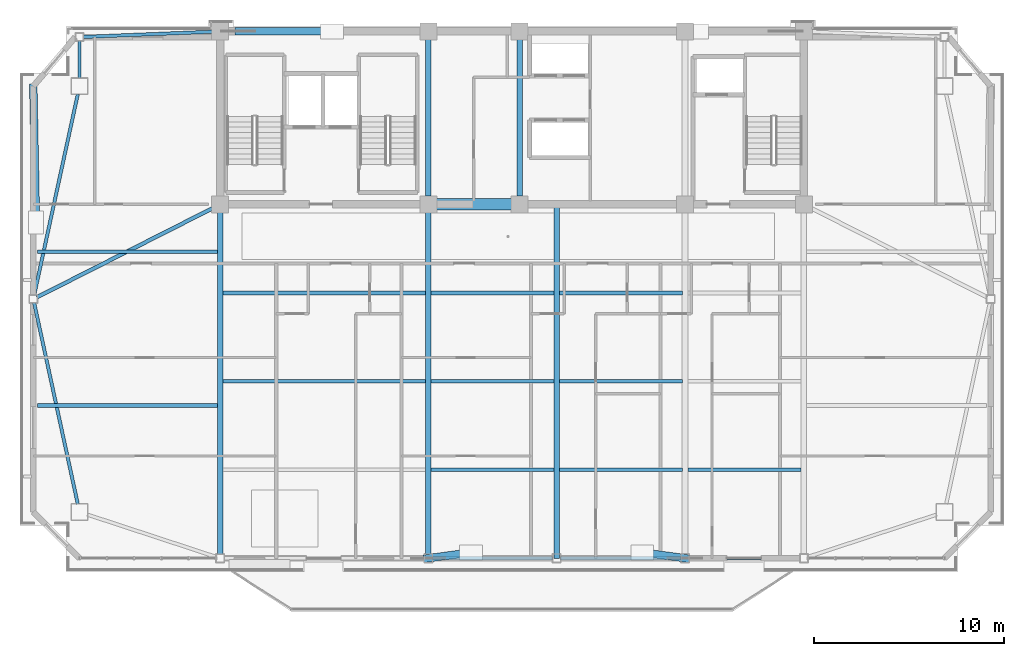
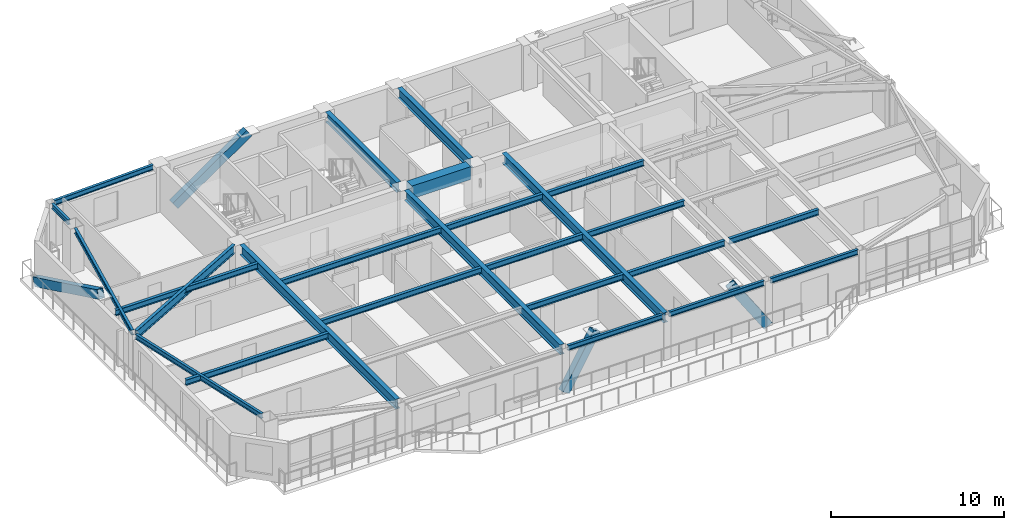
# One storey, part 3 of 15: 25 beams, 4 members.
"""IFC4 building model written with IfcOpenShell, lengths in metres."""

from ifc_helpers import new_model, si_unit, direction, frame, origin, origin_2d, place, context, subcontext, project, spatial, rectangle, hollow_rectangle, i_section, extrude, source, transform, mapped, material, material_profile, profile_set, type_object, element, save


model = new_model("IFC4")

# Units and contexts
model_context = context("Model", 3, precision=1e-05, world=origin(), true_north=direction((0.0, 1.0)))
body_context = subcontext(model_context, "Body", "Model", "MODEL_VIEW")
ifc_project = project(units=[si_unit("LENGTHUNIT", "METRE"), si_unit("AREAUNIT", "SQUARE_METRE"), si_unit("VOLUMEUNIT", "CUBIC_METRE"), si_unit("PLANEANGLEUNIT", "RADIAN"), si_unit("MASSUNIT", "GRAM", prefix="KILO")], contexts=[model_context])

# Site, building, storey
site_placement = place(None, origin())
site = spatial("IfcSite", under=ifc_project, at=site_placement, CompositionType="ELEMENT")
building_placement = place(site_placement, origin())
building = spatial("IfcBuilding", under=site, at=building_placement, Name="Giltprow Tower", CompositionType="ELEMENT")
storey_placement = place(building_placement, frame((0.0, 0.0, 293.800048828125)))
storey = spatial("IfcBuildingStorey", under=building, at=storey_placement, Name="L75", CompositionType="ELEMENT", Elevation=293.800048828125)

# Beams
ifc_material_1 = material(Name="Structural steel Q355B", Category="steel")
ifc_material_profile_1 = material_profile(ifc_material_1, i_section(OverallWidth=0.199951171875, OverallDepth=0.39990234375, WebThickness=0.008056640625, FlangeThickness=0.012939453125, at=origin_2d()), Name="HN 400x200x8x13")
ifc_profile_set_1 = profile_set([ifc_material_profile_1], Name="Structural steel Q355B")
beam_type_1 = type_object("IfcBeamType", Name="BM-JOIST-HN400", PredefinedType="JOIST", material=ifc_profile_set_1)
shared_shape_1 = source(origin(), body_context, "Body", "SweptSolid", [
    extrude(i_section(OverallWidth=0.199951171875, OverallDepth=0.39990234375, WebThickness=0.008056640625, FlangeThickness=0.012939453125, at=origin_2d()), origin(), (0.0, 0.0, 1.0), 10.659912109375),
])
for number, where, z_axis, x_axis, name in (
    (1, (19.9951171875, 28.14599609375, 2.98486328125), (1.0, 0.0, 0.0), (0.0, 1.0, 0.0), "L75 Composite Floor Joist 2-1"),
    (2, (19.9951171875, 32.798095703125, 2.98486328125), (1.0, 0.0, 0.0), (0.0, 1.0, 0.0), "L75 Composite Floor Joist 3-1"),
):
    element("IfcBeam", number, at=place(storey_placement, frame(where, z_axis=z_axis, x_axis=x_axis)), inside=storey, type_object=beam_type_1, Name=name, PredefinedType="JOIST", context=body_context, shape_type="MappedRepresentation", body=[
        mapped(shared_shape_1, transform((0.0, 0.0, 0.0), x_axis=(1.0, 0.0, 0.0), y_axis=(0.0, 1.0, 0.0), z_axis=(0.0, 0.0, 1.0), scale=1.0)),
    ])
shared_shape_2 = source(origin(), body_context, "Body", "SweptSolid", [
    extrude(i_section(OverallWidth=0.199951171875, OverallDepth=0.39990234375, WebThickness=0.008056640625, FlangeThickness=0.012939453125, at=origin_2d()), origin(), (0.0, 0.0, 1.0), 6.4599609375),
])
for number, where, z_axis, x_axis, name in (
    (3, (30.945068359375, 23.492919921875, 2.98486328125), (1.0, 0.0, 0.0), (0.0, 1.0, 0.0), "L75 Composite Floor Joist 1-2"),
    (4, (37.695068359375, 23.492919921875, 2.98486328125), (1.0, 0.0, 0.0), (0.0, 1.0, 0.0), "L75 Composite Floor Joist 1-3"),
    (5, (30.945068359375, 28.14599609375, 2.98486328125), (1.0, 0.0, 0.0), (0.0, 1.0, 0.0), "L75 Composite Floor Joist 2-2"),
    (6, (37.695068359375, 28.14599609375, 2.98486328125), (1.0, 0.0, 0.0), (0.0, 1.0, 0.0), "L75 Composite Floor Joist 2-3"),
    (7, (30.945068359375, 32.798095703125, 2.98486328125), (1.0, 0.0, 0.0), (0.0, 1.0, 0.0), "L75 Composite Floor Joist 3-2"),
    (8, (37.695068359375, 32.798095703125, 2.98486328125), (1.0, 0.0, 0.0), (0.0, 1.0, 0.0), "L75 Composite Floor Joist 3-3"),
):
    element("IfcBeam", number, at=place(storey_placement, frame(where, z_axis=z_axis, x_axis=x_axis)), inside=storey, type_object=beam_type_1, Name=name, PredefinedType="JOIST", context=body_context, shape_type="MappedRepresentation", body=[
        mapped(shared_shape_2, transform((0.0, 0.0, 0.0), x_axis=(1.0, 0.0, 0.0), y_axis=(0.0, 1.0, 0.0), z_axis=(0.0, 0.0, 1.0), scale=1.0)),
    ])
shared_shape_3 = source(origin(), body_context, "Body", "SweptSolid", [
    extrude(i_section(OverallWidth=0.199951171875, OverallDepth=0.39990234375, WebThickness=0.008056640625, FlangeThickness=0.012939453125, at=origin_2d()), origin(), (0.0, 0.0, 1.0), 5.9599609375),
])
beam_1_placement = place(storey_placement, frame((44.445068359375, 23.492919921875, 2.98486328125), z_axis=(1.0, 0.0, 0.0), x_axis=(0.0, 1.0, 0.0)))
element("IfcBeam", 9, at=beam_1_placement, inside=storey, type_object=beam_type_1, Name="L75 Composite Floor Joist 1-4", PredefinedType="JOIST", context=body_context, shape_type="MappedRepresentation", body=[
    mapped(shared_shape_3, transform((0.0, 0.0, 0.0), x_axis=(1.0, 0.0, 0.0), y_axis=(0.0, 1.0, 0.0), z_axis=(0.0, 0.0, 1.0), scale=1.0)),
])
ifc_material_2 = material(Name="Concrete C50", Category="concrete")
ifc_material_profile_2 = material_profile(ifc_material_2, rectangle(XDim=0.60009765625, YDim=0.89990234375, at=origin_2d()), Name="RC 900x600")
ifc_profile_set_2 = profile_set([ifc_material_profile_2], Name="Concrete C50")
beam_type_2 = type_object("IfcBeamType", Name="BM-CPL-RC900", PredefinedType="LINTEL", material=ifc_profile_set_2)
shared_shape_4 = source(origin(), body_context, "Body", "SweptSolid", [
    extrude(rectangle(XDim=0.60009765625, YDim=0.89990234375, at=origin_2d()), origin(), (0.0, 0.0, 1.0), 3.929931640625),
])
beam_2_placement = place(storey_placement, frame((31.235107421875, 37.449951171875, 2.73486328125), z_axis=(1.0, 0.0, 0.0), x_axis=(0.0, 1.0, 0.0)))
element("IfcBeam", 10, at=beam_2_placement, inside=storey, type_object=beam_type_2, Name="L75 Core Coupling Beam CB-1", PredefinedType="LINTEL", context=body_context, shape_type="MappedRepresentation", body=[
    mapped(shared_shape_4, transform((0.0, 0.0, 0.0), x_axis=(1.0, 0.0, 0.0), y_axis=(0.0, 1.0, 0.0), z_axis=(0.0, 0.0, 1.0), scale=1.0)),
])
ifc_material_profile_3 = material_profile(ifc_material_1, i_section(OverallWidth=0.300048828125, OverallDepth=0.699951171875, WebThickness=0.012939453125, FlangeThickness=0.02392578125, at=origin_2d()), Name="HN 700x300x13x24")
ifc_profile_set_3 = profile_set([ifc_material_profile_3], Name="Structural steel Q355B")
beam_type_3 = type_object("IfcBeamType", Name="BM-GIRD-HN700", PredefinedType="BEAM", material=ifc_profile_set_3)
shared_shape_5 = source(origin(), body_context, "Body", "SweptSolid", [
    extrude(i_section(OverallWidth=0.300048828125, OverallDepth=0.699951171875, WebThickness=0.012939453125, FlangeThickness=0.02392578125, at=origin_2d()), origin(), (0.0, 0.0, 1.0), 8.22998046875),
])
for number, where, z_axis, x_axis, name in (
    (11, (30.800048828125, 37.885009765625, 2.8349609375), (0.0, 1.0, 0.0), (-1.0, 0.0, 0.0), "L75 Core Tie Girder M1"),
    (12, (35.60009765625, 37.885009765625, 2.8349609375), (0.0, 1.0, 0.0), (-1.0, 0.0, 0.0), "L75 Core Tie Girder M2"),
):
    element("IfcBeam", number, at=place(storey_placement, frame(where, z_axis=z_axis, x_axis=x_axis)), inside=storey, type_object=beam_type_3, Name=name, PredefinedType="BEAM", context=body_context, shape_type="MappedRepresentation", body=[
        mapped(shared_shape_5, transform((0.0, 0.0, 0.0), x_axis=(1.0, 0.0, 0.0), y_axis=(0.0, 1.0, 0.0), z_axis=(0.0, 0.0, 1.0), scale=1.0)),
    ])
ifc_material_profile_4 = material_profile(ifc_material_1, i_section(OverallWidth=0.175048828125, OverallDepth=0.35009765625, WebThickness=0.007080078125, FlangeThickness=0.010986328125, at=origin_2d()), Name="HN 350x175x7x11")
ifc_profile_set_4 = profile_set([ifc_material_profile_4], Name="Structural steel Q355B")
beam_type_4 = type_object("IfcBeamType", Name="BM-SPAN-HN350", PredefinedType="SPANDREL", material=ifc_profile_set_4)
shared_shape_6 = source(origin(), body_context, "Body", "SweptSolid", [
    extrude(i_section(OverallWidth=0.175048828125, OverallDepth=0.35009765625, WebThickness=0.007080078125, FlangeThickness=0.010986328125, at=origin_2d()), origin(), (0.0, 0.0, 1.0), 6.330078125),
])
for number, where, z_axis, x_axis, name in (
    (13, (31.010009765625, 18.841064453125, 3.010009765625), (1.0, 0.0, 0.0), (0.0, 1.0, 0.0), "L75 Perimeter Spandrel Beam S2-S_MID"),
    (14, (37.760009765625, 18.841064453125, 3.010009765625), (1.0, 0.0, 0.0), (0.0, 1.0, 0.0), "L75 Perimeter Spandrel Beam S_MID-S3"),
):
    element("IfcBeam", number, at=place(storey_placement, frame(where, z_axis=z_axis, x_axis=x_axis)), inside=storey, type_object=beam_type_4, Name=name, PredefinedType="SPANDREL", context=body_context, shape_type="MappedRepresentation", body=[
        mapped(shared_shape_6, transform((0.0, 0.0, 0.0), x_axis=(1.0, 0.0, 0.0), y_axis=(0.0, 1.0, 0.0), z_axis=(0.0, 0.0, 1.0), scale=1.0)),
    ])
shared_shape_7 = source(origin(), body_context, "Body", "SweptSolid", [
    extrude(i_section(OverallWidth=0.175048828125, OverallDepth=0.35009765625, WebThickness=0.007080078125, FlangeThickness=0.010986328125, at=origin_2d()), origin(), (0.0, 0.0, 1.0), 5.830078125),
])
beam_3_placement = place(storey_placement, frame((44.510009765625, 18.841064453125, 3.010009765625), z_axis=(1.0, 0.0, 0.0), x_axis=(0.0, 1.0, 0.0)))
element("IfcBeam", 15, at=beam_3_placement, inside=storey, type_object=beam_type_4, Name="L75 Perimeter Spandrel Beam S3-S4", PredefinedType="SPANDREL", context=body_context, shape_type="MappedRepresentation", body=[
    mapped(shared_shape_7, transform((0.0, 0.0, 0.0), x_axis=(1.0, 0.0, 0.0), y_axis=(0.0, 1.0, 0.0), z_axis=(0.0, 0.0, 1.0), scale=1.0)),
])
shared_shape_8 = source(origin(), body_context, "Body", "SweptSolid", [
    extrude(i_section(OverallWidth=0.175048828125, OverallDepth=0.35009765625, WebThickness=0.007080078125, FlangeThickness=0.010986328125, at=origin_2d()), origin(), (0.0, 0.0, 1.0), 10.815185546875),
])
beam_4_placement = place(storey_placement, frame((10.069091796875, 32.26611328125, 3.010009765625), z_axis=(0.212104429767, -0.97724700607, 0.0), x_axis=(0.97724700607, 0.212104429767, 0.0)))
element("IfcBeam", 16, at=beam_4_placement, inside=storey, type_object=beam_type_4, Name="L75 Perimeter Spandrel Beam W_MID-MC_SW", PredefinedType="SPANDREL", context=body_context, shape_type="MappedRepresentation", body=[
    mapped(shared_shape_8, transform((0.0, 0.0, 0.0), x_axis=(1.0, 0.0, 0.0), y_axis=(0.0, 1.0, 0.0), z_axis=(0.0, 0.0, 1.0), scale=1.0)),
])
shared_shape_9 = source(origin(), body_context, "Body", "SweptSolid", [
    extrude(i_section(OverallWidth=0.175048828125, OverallDepth=0.35009765625, WebThickness=0.007080078125, FlangeThickness=0.010986328125, at=origin_2d()), origin(), (0.0, 0.0, 1.0), 10.81396484375),
])
beam_5_placement = place(storey_placement, frame((12.363037109375, 43.243896484375, 3.010009765625), z_axis=(-0.212127827706, -0.977241927423, 0.0), x_axis=(0.977241927423, -0.212127827706, 0.0)))
element("IfcBeam", 17, at=beam_5_placement, inside=storey, type_object=beam_type_4, Name="L75 Perimeter Spandrel Beam MC_NW-W_MID", PredefinedType="SPANDREL", context=body_context, shape_type="MappedRepresentation", body=[
    mapped(shared_shape_9, transform((0.0, 0.0, 0.0), x_axis=(1.0, 0.0, 0.0), y_axis=(0.0, 1.0, 0.0), z_axis=(0.0, 0.0, 1.0), scale=1.0)),
])
shared_shape_10 = source(origin(), body_context, "Body", "SweptSolid", [
    extrude(i_section(OverallWidth=0.175048828125, OverallDepth=0.35009765625, WebThickness=0.007080078125, FlangeThickness=0.010986328125, at=origin_2d()), origin(), (0.0, 0.0, 1.0), 1.93603515625),
])
beam_6_placement = place(storey_placement, frame((12.455078125, 46.0400390625, 3.010009765625), z_axis=(0.0, -1.0, 0.0), x_axis=(1.0, 0.0, 0.0)))
element("IfcBeam", 18, at=beam_6_placement, inside=storey, type_object=beam_type_4, Name="L75 Perimeter Spandrel Beam N_W-MC_NW", PredefinedType="SPANDREL", context=body_context, shape_type="MappedRepresentation", body=[
    mapped(shared_shape_10, transform((0.0, 0.0, 0.0), x_axis=(1.0, 0.0, 0.0), y_axis=(0.0, 1.0, 0.0), z_axis=(0.0, 0.0, 1.0), scale=1.0)),
])
shared_shape_11 = source(origin(), body_context, "Body", "SweptSolid", [
    extrude(i_section(OverallWidth=0.175048828125, OverallDepth=0.35009765625, WebThickness=0.007080078125, FlangeThickness=0.010986328125, at=origin_2d()), origin(), (0.0, 0.0, 1.0), 6.755615234375),
])
beam_7_placement = place(storey_placement, frame((12.6650390625, 46.259033203125, 3.010009765625), z_axis=(0.99918342897, 0.040403901678, 0.0), x_axis=(-0.040403901678, 0.99918342897, 0.0)))
element("IfcBeam", 19, at=beam_7_placement, inside=storey, type_object=beam_type_4, Name="L75 North Wing Spandrel W", PredefinedType="SPANDREL", context=body_context, shape_type="MappedRepresentation", body=[
    mapped(shared_shape_11, transform((0.0, 0.0, 0.0), x_axis=(1.0, 0.0, 0.0), y_axis=(0.0, 1.0, 0.0), z_axis=(0.0, 0.0, 1.0), scale=1.0)),
])
shared_shape_12 = source(origin(), body_context, "Body", "SweptSolid", [
    extrude(i_section(OverallWidth=0.300048828125, OverallDepth=0.699951171875, WebThickness=0.012939453125, FlangeThickness=0.02392578125, at=origin_2d()), origin(), (0.0, 0.0, 1.0), 17.9638671875),
])
for number, where, z_axis, x_axis, name in (
    (20, (19.85009765625, 19.051025390625, 2.8349609375), (0.0, 1.0, 0.0), (-1.0, 0.0, 0.0), "L75 Primary Lease Girder S1"),
    (21, (30.800048828125, 19.051025390625, 2.8349609375), (0.0, 1.0, 0.0), (-1.0, 0.0, 0.0), "L75 Primary Lease Girder S2"),
):
    element("IfcBeam", number, at=place(storey_placement, frame(where, z_axis=z_axis, x_axis=x_axis)), inside=storey, type_object=beam_type_3, Name=name, PredefinedType="BEAM", context=body_context, shape_type="MappedRepresentation", body=[
        mapped(shared_shape_12, transform((0.0, 0.0, 0.0), x_axis=(1.0, 0.0, 0.0), y_axis=(0.0, 1.0, 0.0), z_axis=(0.0, 0.0, 1.0), scale=1.0)),
    ])
shared_shape_13 = source(origin(), body_context, "Body", "SweptSolid", [
    extrude(i_section(OverallWidth=0.300048828125, OverallDepth=0.699951171875, WebThickness=0.012939453125, FlangeThickness=0.02392578125, at=origin_2d()), origin(), (0.0, 0.0, 1.0), 18.60888671875),
])
beam_8_placement = place(storey_placement, frame((37.550048828125, 18.841064453125, 2.8349609375), z_axis=(0.0, 1.0, 0.0), x_axis=(-1.0, 0.0, 0.0)))
element("IfcBeam", 22, at=beam_8_placement, inside=storey, type_object=beam_type_3, Name="L75 Central Lease Girder SMID", PredefinedType="BEAM", context=body_context, shape_type="MappedRepresentation", body=[
    mapped(shared_shape_13, transform((0.0, 0.0, 0.0), x_axis=(1.0, 0.0, 0.0), y_axis=(0.0, 1.0, 0.0), z_axis=(0.0, 0.0, 1.0), scale=1.0)),
])
ifc_material_profile_5 = material_profile(ifc_material_1, i_section(OverallWidth=0.199951171875, OverallDepth=0.60009765625, WebThickness=0.010986328125, FlangeThickness=0.01708984375, at=origin_2d()), Name="HN 600x200x11x17")
ifc_profile_set_5 = profile_set([ifc_material_profile_5], Name="Structural steel Q355B")
beam_type_5 = type_object("IfcBeamType", Name="BM-GIRD-HN600", PredefinedType="BEAM", material=ifc_profile_set_5)
shared_shape_14 = source(origin(), body_context, "Body", "SweptSolid", [
    extrude(i_section(OverallWidth=0.199951171875, OverallDepth=0.60009765625, WebThickness=0.010986328125, FlangeThickness=0.01708984375, at=origin_2d()), origin(), (0.0, 0.0, 1.0), 10.37060546875),
])
beam_9_placement = place(storey_placement, frame((10.2109375, 32.56591796875, 2.885009765625), z_axis=(0.89204159727, 0.451953303716, 0.0), x_axis=(-0.451953303716, 0.89204159727, 0.0)))
element("IfcBeam", 23, at=beam_9_placement, inside=storey, type_object=beam_type_5, Name="L75 West Wing Primary Girder", PredefinedType="BEAM", context=body_context, shape_type="MappedRepresentation", body=[
    mapped(shared_shape_14, transform((0.0, 0.0, 0.0), x_axis=(1.0, 0.0, 0.0), y_axis=(0.0, 1.0, 0.0), z_axis=(0.0, 0.0, 1.0), scale=1.0)),
])
shared_shape_15 = source(origin(), body_context, "Body", "SweptSolid", [
    extrude(i_section(OverallWidth=0.199951171875, OverallDepth=0.39990234375, WebThickness=0.008056640625, FlangeThickness=0.012939453125, at=origin_2d()), origin(), (0.0, 0.0, 1.0), 9.461181640625),
])
for number, where, z_axis, x_axis, name in (
    (24, (10.243896484375, 26.87109375, 2.98486328125), (1.0, 0.0, 0.0), (0.0, 1.0, 0.0), "L75 West Wing Floor Joist 1"),
    (25, (10.243896484375, 34.9599609375, 2.98486328125), (1.0, 0.0, 0.0), (0.0, 1.0, 0.0), "L75 West Wing Floor Joist 2"),
):
    element("IfcBeam", number, at=place(storey_placement, frame(where, z_axis=z_axis, x_axis=x_axis)), inside=storey, type_object=beam_type_1, Name=name, PredefinedType="JOIST", context=body_context, shape_type="MappedRepresentation", body=[
        mapped(shared_shape_15, transform((0.0, 0.0, 0.0), x_axis=(1.0, 0.0, 0.0), y_axis=(0.0, 1.0, 0.0), z_axis=(0.0, 0.0, 1.0), scale=1.0)),
    ])

# Members
ifc_material_3 = material(Name="Structural steel Q420GJC", Category="steel")
ifc_material_profile_6 = material_profile(ifc_material_3, hollow_rectangle(XDim=0.39990234375, YDim=0.60009765625, WallThickness=0.028076171875, at=origin_2d()), Name="RHS 600x400x28")
ifc_profile_set_6 = profile_set([ifc_material_profile_6], Name="Structural steel Q420GJC")
member_type = type_object("IfcMemberType", Name="MBR-MEGA-RHS600", PredefinedType="BRACE", material=ifc_profile_set_6)
shared_shape_16 = source(origin(), body_context, "Body", "SweptSolid", [
    extrude(hollow_rectangle(XDim=0.39990234375, YDim=0.60009765625, WallThickness=0.028076171875, at=origin_2d()), origin(), (0.0, 0.0, 1.0), 5.9912109375),
])
member_1_placement = place(storey_placement, frame((20.800048828125, 46.550048828125, -0.14013671875), z_axis=(0.823355270316, 0.0, 0.567526297931), x_axis=(0.0, 1.0, 0.0)))
element("IfcMember", 26, at=member_1_placement, inside=storey, type_object=member_type, Name="L75 Chevron Mega-Brace N-L", PredefinedType="BRACE", context=body_context, shape_type="MappedRepresentation", body=[
    mapped(shared_shape_16, transform((0.0, 0.0, 0.0), x_axis=(1.0, 0.0, 0.0), y_axis=(0.0, 1.0, 0.0), z_axis=(0.0, 0.0, 1.0), scale=1.0)),
])
shared_shape_17 = source(origin(), body_context, "Body", "SweptSolid", [
    extrude(hollow_rectangle(XDim=0.39990234375, YDim=0.60009765625, WallThickness=0.028076171875, at=origin_2d()), origin(), (0.0, 0.0, 1.0), 4.088623046875),
])
for number, where, z_axis, x_axis, name in (
    (27, (30.800048828125, 18.841064453125, 0.0), (0.550291346467, 0.075772538918, 0.831527483821), (-0.136408234601, 0.990652710859, 0.0), "L75 Chevron Mega-Brace S-L"),
    (28, (44.300048828125, 18.841064453125, 0.0), (-0.550291346467, 0.075772538918, 0.831527483821), (-0.136408234601, -0.990652710859, 0.0), "L75 Chevron Mega-Brace S-R"),
):
    element("IfcMember", number, at=place(storey_placement, frame(where, z_axis=z_axis, x_axis=x_axis)), inside=storey, type_object=member_type, Name=name, PredefinedType="BRACE", context=body_context, shape_type="MappedRepresentation", body=[
        mapped(shared_shape_17, transform((0.0, 0.0, 0.0), x_axis=(1.0, 0.0, 0.0), y_axis=(0.0, 1.0, 0.0), z_axis=(0.0, 0.0, 1.0), scale=1.0)),
    ])
shared_shape_18 = source(origin(), body_context, "Body", "SweptSolid", [
    extrude(hollow_rectangle(XDim=0.39990234375, YDim=0.60009765625, WallThickness=0.028076171875, at=origin_2d()), origin(), (0.0, 0.0, 1.0), 7.937255859375),
])
member_2_placement = place(storey_placement, frame((10.02392578125, 43.6689453125, 0.0), z_axis=(0.017532464096, -0.903444799007, 0.428345780708), x_axis=(0.999811752147, 0.01940258405, 0.0)))
element("IfcMember", 29, at=member_2_placement, inside=storey, type_object=member_type, Name="L75 Chevron Mega-Brace W-D", PredefinedType="BRACE", context=body_context, shape_type="MappedRepresentation", body=[
    mapped(shared_shape_18, transform((0.0, 0.0, 0.0), x_axis=(1.0, 0.0, 0.0), y_axis=(0.0, 1.0, 0.0), z_axis=(0.0, 0.0, 1.0), scale=1.0)),
])

save(model, "model.ifc")
